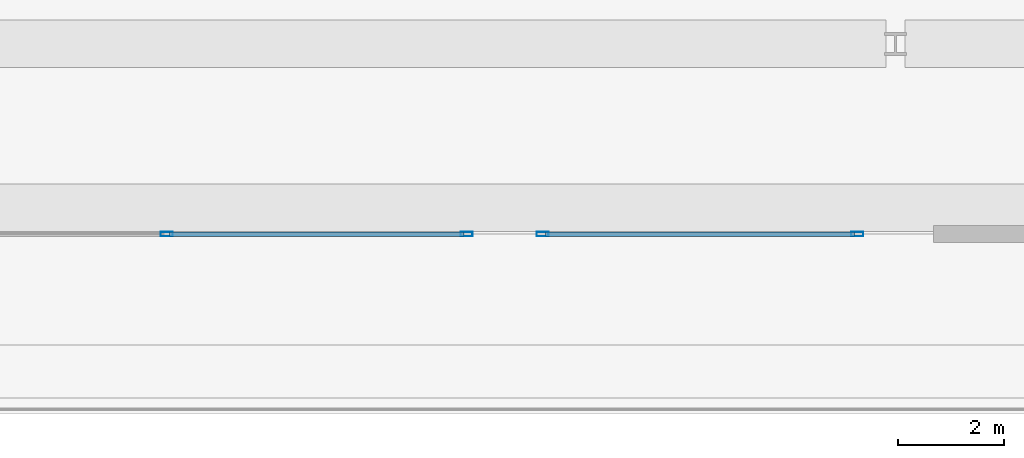
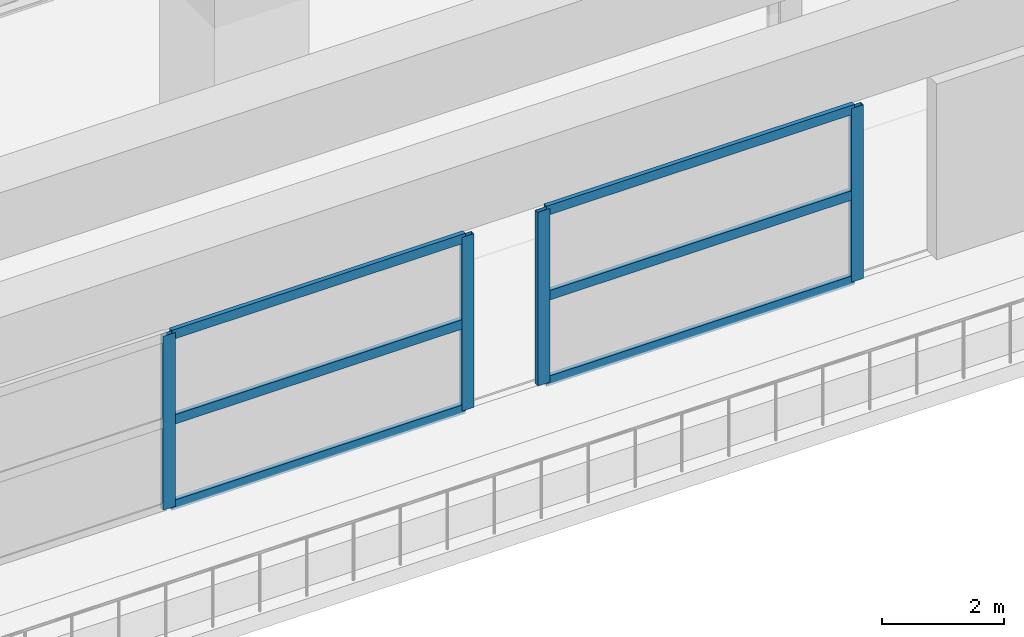
# One storey, part 7 of 45: 10 members, 2 elements without a shape of their own.
"""IFC4 building model written with IfcOpenShell, lengths in metres."""

from ifc_helpers import new_model, si_unit, direction, frame, origin, origin_2d, place, context, subcontext, project, spatial, hollow_rectangle, extrude, material, material_profile, profile_set, type_object, element, aggregate, save


model = new_model("IFC4")

# Units and contexts
model_context = context("Model", 3, precision=1e-05, world=origin(), true_north=direction((0.0, 1.0)))
body_context = subcontext(model_context, "Body", "Model", "MODEL_VIEW")
ifc_project = project(units=[si_unit("LENGTHUNIT", "METRE"), si_unit("AREAUNIT", "SQUARE_METRE"), si_unit("VOLUMEUNIT", "CUBIC_METRE"), si_unit("PLANEANGLEUNIT", "RADIAN"), si_unit("MASSUNIT", "GRAM", prefix="KILO")], contexts=[model_context])

# Site, building, storey
site_placement = place(None, origin())
site = spatial("IfcSite", under=ifc_project, at=site_placement, CompositionType="ELEMENT")
building_placement = place(site_placement, origin())
building = spatial("IfcBuilding", under=site, at=building_placement, Name="Kovane Verandah Tower", CompositionType="ELEMENT")
storey_placement = place(building_placement, frame((0.0, 0.0, 6.0)))
storey = spatial("IfcBuildingStorey", under=building, at=storey_placement, Name="L01", CompositionType="ELEMENT", Elevation=6.0)

# Curtain wall, members
ifc_material_1 = material(Name="Champagne Anodised Aluminium Frame with Low-E Clear Laminated Glass", Category="aluminium")
curtain_wall_type = type_object("IfcCurtainWallType", Name="CW-SYS-01-POD", PredefinedType="NOTDEFINED", material=ifc_material_1)
curtain_wall_1_placement = place(storey_placement, origin())
curtain_wall_1 = element("IfcCurtainWall", 1, at=curtain_wall_1_placement, inside=storey, type_object=curtain_wall_type, Name="L01 South Podium Curtain Wall Bay 2.1", PredefinedType="NOTDEFINED")
ifc_material_2 = material(Name="Champagne Anodised Aluminium 6063-T6", Category="aluminium")
ifc_material_profile_1 = material_profile(ifc_material_2, hollow_rectangle(XDim=0.0849609375, YDim=0.22998046875, WallThickness=0.00390625, at=origin_2d()), Name="AL85x230x4")
ifc_profile_set_1 = profile_set([ifc_material_profile_1], Name="Champagne Anodised Aluminium 6063-T6")
member_type_1 = type_object("IfcMemberType", Name="CW-MUL-85x230", PredefinedType="MULLION", material=ifc_profile_set_1)
member_1_placement = place(storey_placement, frame((15.199951171875, 1.89990234375, 0.02001953125), z_axis=(0.0, 0.0, 1.0), x_axis=(0.0, -1.0, 0.0)))
member_1 = element("IfcMember", 2, at=member_1_placement, type_object=member_type_1, Name="L01 South Podium Curtain Wall Bay 2.1 Mullion 2", PredefinedType="MULLION", context=body_context, shape_type="SweptSolid", body=[
    extrude(hollow_rectangle(XDim=0.0849609375, YDim=0.22998046875, WallThickness=0.00390625, at=origin_2d()), origin(), (0.0, 0.0, 1.0), 3.489990234375),
])
member_2_placement = place(storey_placement, frame((20.8798828125, 1.89990234375, 0.02001953125), z_axis=(0.0, 0.0, 1.0), x_axis=(0.0, -1.0, 0.0)))
member_2 = element("IfcMember", 3, at=member_2_placement, type_object=member_type_1, Name="L01 South Podium Curtain Wall Bay 2.1 Mullion 3", PredefinedType="MULLION", context=body_context, shape_type="SweptSolid", body=[
    extrude(hollow_rectangle(XDim=0.0849609375, YDim=0.22998046875, WallThickness=0.00390625, at=origin_2d()), origin(), (0.0, 0.0, 1.0), 3.489990234375),
])

curtain_wall_2_placement = place(storey_placement, origin())
curtain_wall_2 = element("IfcCurtainWall", 4, at=curtain_wall_2_placement, inside=storey, type_object=curtain_wall_type, Name="L01 South Podium Curtain Wall Bay 3.1", PredefinedType="NOTDEFINED")
member_3_placement = place(storey_placement, frame((22.320068359375, 1.89990234375, 0.02001953125), z_axis=(0.0, 0.0, 1.0), x_axis=(0.0, -1.0, 0.0)))
member_3 = element("IfcMember", 5, at=member_3_placement, type_object=member_type_1, Name="L01 South Podium Curtain Wall Bay 3.1 Mullion 1", PredefinedType="MULLION", context=body_context, shape_type="SweptSolid", body=[
    extrude(hollow_rectangle(XDim=0.0849609375, YDim=0.22998046875, WallThickness=0.00390625, at=origin_2d()), origin(), (0.0, 0.0, 1.0), 3.489990234375),
])
member_4_placement = place(storey_placement, frame((28.280029296875, 1.89990234375, 0.02001953125), z_axis=(0.0, 0.0, 1.0), x_axis=(0.0, -1.0, 0.0)))
member_4 = element("IfcMember", 6, at=member_4_placement, type_object=member_type_1, Name="L01 South Podium Curtain Wall Bay 3.1 Mullion 2", PredefinedType="MULLION", context=body_context, shape_type="SweptSolid", body=[
    extrude(hollow_rectangle(XDim=0.0849609375, YDim=0.22998046875, WallThickness=0.00390625, at=origin_2d()), origin(), (0.0, 0.0, 1.0), 3.489990234375),
])

# Member
ifc_material_profile_2 = material_profile(ifc_material_2, hollow_rectangle(XDim=0.0849609375, YDim=0.18994140625, WallThickness=0.00390625, at=origin_2d()), Name="AL85x190x4")
ifc_profile_set_2 = profile_set([ifc_material_profile_2], Name="Champagne Anodised Aluminium 6063-T6")
member_type_2 = type_object("IfcMemberType", Name="CW-TRN-85x190", PredefinedType="USERDEFINED", material=ifc_profile_set_2)
member_5_placement = place(storey_placement, frame((15.25, 1.89990234375, 0.050048828125), z_axis=(1.0, 0.0, 0.0), x_axis=(0.0, 1.0, 0.0)))
member_5 = element("IfcMember", 7, at=member_5_placement, type_object=member_type_2, Name="L01 South Podium Curtain Wall Bay 2.1 Transom TB Bay 2", ObjectType="TRANSOM", PredefinedType="USERDEFINED", context=body_context, shape_type="SweptSolid", body=[
    extrude(hollow_rectangle(XDim=0.0849609375, YDim=0.18994140625, WallThickness=0.00390625, at=origin_2d()), origin(), (0.0, 0.0, 1.0), 5.580078125),
])

member_6_placement = place(storey_placement, frame((15.25, 1.89990234375, 1.764892578125), z_axis=(1.0, 0.0, 0.0), x_axis=(0.0, 1.0, 0.0)))
member_6 = element("IfcMember", 8, at=member_6_placement, type_object=member_type_2, Name="L01 South Podium Curtain Wall Bay 2.1 Transom TM Bay 2", ObjectType="TRANSOM", PredefinedType="USERDEFINED", context=body_context, shape_type="SweptSolid", body=[
    extrude(hollow_rectangle(XDim=0.0849609375, YDim=0.18994140625, WallThickness=0.00390625, at=origin_2d()), origin(), (0.0, 0.0, 1.0), 5.580078125),
])

member_7_placement = place(storey_placement, frame((15.25, 1.89990234375, 3.47998046875), z_axis=(1.0, 0.0, 0.0), x_axis=(0.0, 1.0, 0.0)))
member_7 = element("IfcMember", 9, at=member_7_placement, type_object=member_type_2, Name="L01 South Podium Curtain Wall Bay 2.1 Transom TT Bay 2", ObjectType="TRANSOM", PredefinedType="USERDEFINED", context=body_context, shape_type="SweptSolid", body=[
    extrude(hollow_rectangle(XDim=0.0849609375, YDim=0.18994140625, WallThickness=0.00390625, at=origin_2d()), origin(), (0.0, 0.0, 1.0), 5.580078125),
])

aggregate(curtain_wall_1, [member_1, member_2, member_5, member_6, member_7])

member_8_placement = place(storey_placement, frame((22.3701171875, 1.89990234375, 0.050048828125), z_axis=(1.0, 0.0, 0.0), x_axis=(0.0, 1.0, 0.0)))
member_8 = element("IfcMember", 10, at=member_8_placement, type_object=member_type_2, Name="L01 South Podium Curtain Wall Bay 3.1 Transom TB Bay 1", ObjectType="TRANSOM", PredefinedType="USERDEFINED", context=body_context, shape_type="SweptSolid", body=[
    extrude(hollow_rectangle(XDim=0.0849609375, YDim=0.18994140625, WallThickness=0.00390625, at=origin_2d()), origin(), (0.0, 0.0, 1.0), 5.85986328125),
])

member_9_placement = place(storey_placement, frame((22.3701171875, 1.89990234375, 1.764892578125), z_axis=(1.0, 0.0, 0.0), x_axis=(0.0, 1.0, 0.0)))
member_9 = element("IfcMember", 11, at=member_9_placement, type_object=member_type_2, Name="L01 South Podium Curtain Wall Bay 3.1 Transom TM Bay 1", ObjectType="TRANSOM", PredefinedType="USERDEFINED", context=body_context, shape_type="SweptSolid", body=[
    extrude(hollow_rectangle(XDim=0.0849609375, YDim=0.18994140625, WallThickness=0.00390625, at=origin_2d()), origin(), (0.0, 0.0, 1.0), 5.85986328125),
])

member_10_placement = place(storey_placement, frame((22.3701171875, 1.89990234375, 3.47998046875), z_axis=(1.0, 0.0, 0.0), x_axis=(0.0, 1.0, 0.0)))
member_10 = element("IfcMember", 12, at=member_10_placement, type_object=member_type_2, Name="L01 South Podium Curtain Wall Bay 3.1 Transom TT Bay 1", ObjectType="TRANSOM", PredefinedType="USERDEFINED", context=body_context, shape_type="SweptSolid", body=[
    extrude(hollow_rectangle(XDim=0.0849609375, YDim=0.18994140625, WallThickness=0.00390625, at=origin_2d()), origin(), (0.0, 0.0, 1.0), 5.85986328125),
])

aggregate(curtain_wall_2, [member_3, member_4, member_8, member_9, member_10])

save(model, "model.ifc")
